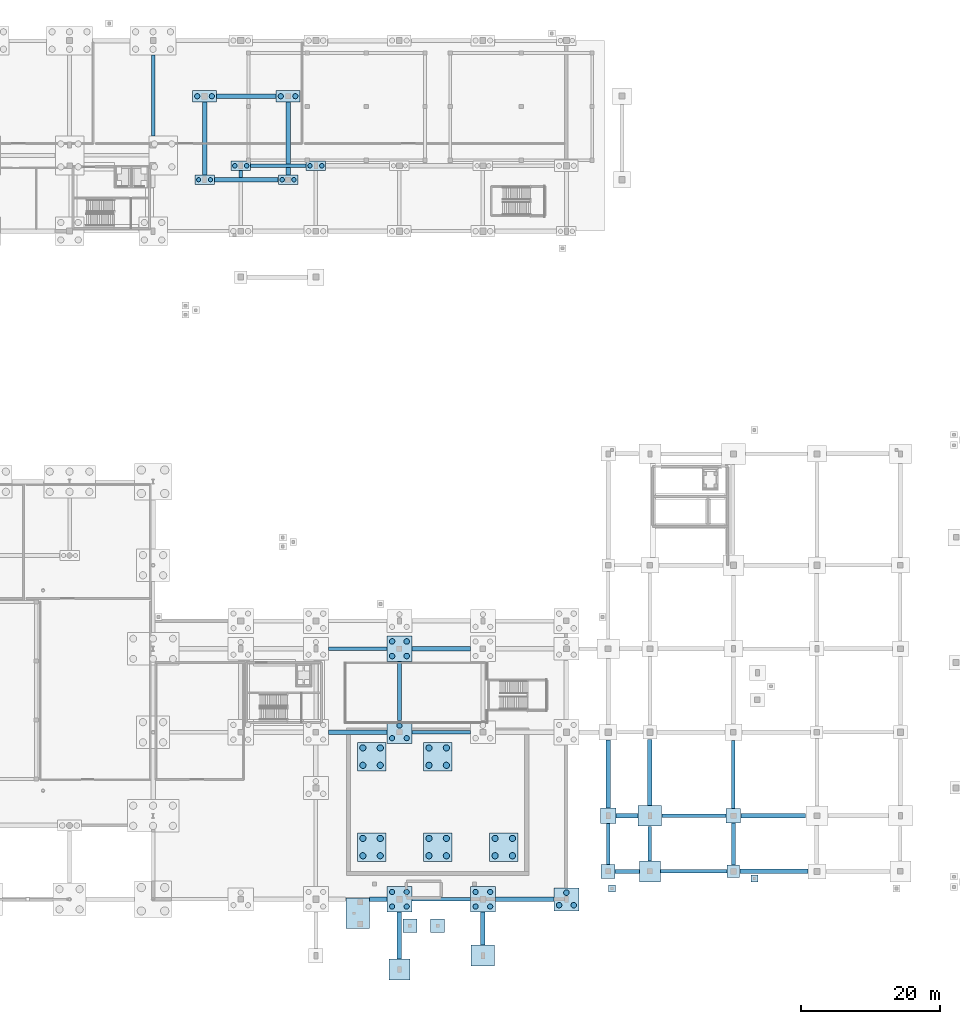
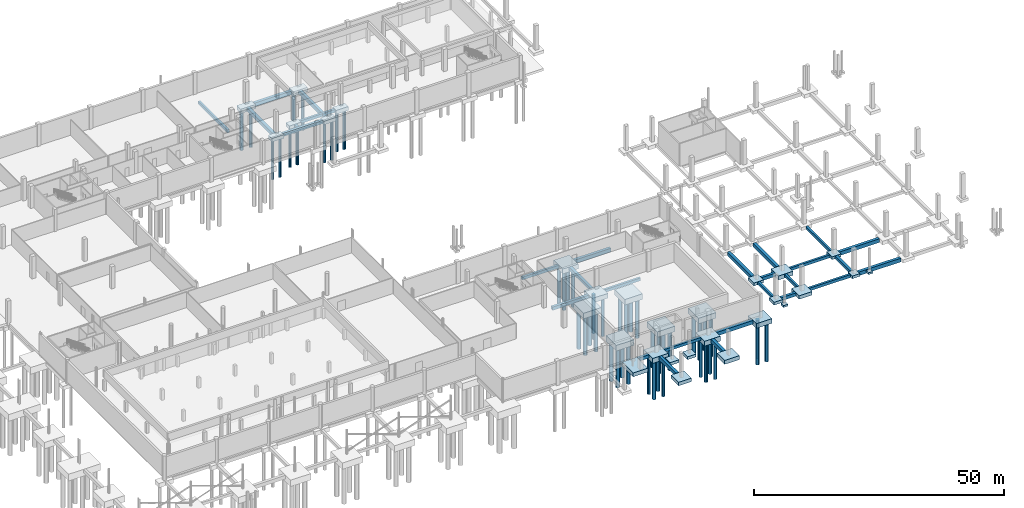
# One storey, part 5 of 42: 59 footings, 50 piles.
"""IFC4 building model written with IfcOpenShell, lengths in metres."""

from ifc_helpers import new_model, si_unit, direction, frame, origin, origin_2d, place, context, subcontext, project, spatial, rectangle, circle, extrude, material, material_profile, profile_set, type_object, element, save


model = new_model("IFC4")

# Units and contexts
model_context = context("Model", 3, precision=1e-05, world=origin(), true_north=direction((0.0, 1.0)))
body_context = subcontext(model_context, "Body", "Model", "MODEL_VIEW")
ifc_project = project(units=[si_unit("LENGTHUNIT", "METRE"), si_unit("AREAUNIT", "SQUARE_METRE"), si_unit("VOLUMEUNIT", "CUBIC_METRE"), si_unit("PLANEANGLEUNIT", "RADIAN"), si_unit("MASSUNIT", "GRAM", prefix="KILO"), si_unit("THERMODYNAMICTEMPERATUREUNIT", "KELVIN"), si_unit("POWERUNIT", "WATT")], contexts=[model_context])

# Site, building, storey
site_placement = place(None, origin())
site = spatial("IfcSite", under=ifc_project, at=site_placement, CompositionType="ELEMENT")
building_placement = place(site_placement, origin())
building = spatial("IfcBuilding", under=site, at=building_placement, Name="Solmara Park Aquatics Centre", CompositionType="ELEMENT")
storey_placement = place(building_placement, frame((0.0, 0.0, -5.39990234375)))
storey = spatial("IfcBuildingStorey", under=building, at=storey_placement, Name="B1", CompositionType="ELEMENT", Elevation=-5.39990234375)

# Footings
ifc_material = material(Name="Watertight Concrete C45/55", Category="concrete")
footing_type_1 = type_object("IfcFootingType", Name="STR-FB-500x700", PredefinedType="FOOTING_BEAM", material=ifc_material)
footing_1_placement = place(storey_placement, frame((138.0, 12.60009765625, -1.25), z_axis=(0.0, 0.0, 1.0), x_axis=(1.0, 0.0, 0.0)))
element("IfcFooting", 1, at=footing_1_placement, inside=storey, type_object=footing_type_1, Name="Ground Tie Beam FB-012", PredefinedType="FOOTING_BEAM", context=body_context, shape_type="SweptSolid", body=[
    extrude(rectangle(XDim=8.3798828125, YDim=0.5, at=origin_2d()), origin(), (0.0, 0.0, 1.0), 0.699951171875),
])
footing_2_placement = place(storey_placement, frame((174.300048828125, 16.60009765625, -1.25), z_axis=(0.0, 0.0, 1.0), x_axis=(1.0, 0.0, 0.0)))
element("IfcFooting", 2, at=footing_2_placement, inside=storey, type_object=footing_type_1, Name="Ground Tie Beam FB-015", PredefinedType="FOOTING_BEAM", context=body_context, shape_type="SweptSolid", body=[
    extrude(rectangle(XDim=9.580078125, YDim=0.5, at=origin_2d()), origin(), (0.0, 0.0, 1.0), 0.699951171875),
])
footing_3_placement = place(storey_placement, frame((174.324951171875, 24.60009765625, -1.25), z_axis=(0.0, 0.0, 1.0), x_axis=(1.0, 0.0, 0.0)))
element("IfcFooting", 3, at=footing_3_placement, inside=storey, type_object=footing_type_1, Name="Ground Tie Beam FB-024", PredefinedType="FOOTING_BEAM", context=body_context, shape_type="SweptSolid", body=[
    extrude(rectangle(XDim=9.22998046875, YDim=0.5, at=origin_2d()), origin(), (0.0, 0.0, 1.0), 0.699951171875),
])
for number, where, z_axis, x_axis, name in (
    (4, (138.0, 36.60009765625, -1.25), (0.0, 0.0, 1.0), (1.0, 0.0, 0.0), "Ground Tie Beam FB-030"),
    (5, (126.0, 48.60009765625, -1.25), (0.0, 0.0, 1.0), (1.0, 0.0, 0.0), "Ground Tie Beam FB-039"),
):
    element("IfcFooting", number, at=place(storey_placement, frame(where, z_axis=z_axis, x_axis=x_axis)), inside=storey, type_object=footing_type_1, Name=name, PredefinedType="FOOTING_BEAM", context=body_context, shape_type="SweptSolid", body=[
        extrude(rectangle(XDim=8.3798828125, YDim=0.5, at=origin_2d()), origin(), (0.0, 0.0, 1.0), 0.699951171875),
    ])
footing_4_placement = place(storey_placement, frame((114.60009765625, 118.0, -1.25), z_axis=(0.0, 0.0, 1.0), x_axis=(1.0, 0.0, 0.0)))
element("IfcFooting", 6, at=footing_4_placement, inside=storey, type_object=footing_type_1, Name="Ground Tie Beam FB-090", PredefinedType="FOOTING_BEAM", context=body_context, shape_type="SweptSolid", body=[
    extrude(rectangle(XDim=7.97998046875, YDim=0.5, at=origin_2d()), origin(), (0.0, 0.0, 1.0), 0.699951171875),
])
footing_5_placement = place(storey_placement, frame((96.60009765625, 128.125, -1.25), z_axis=(0.0, 0.0, 1.0), x_axis=(1.0, 0.0, 0.0)))
element("IfcFooting", 7, at=footing_5_placement, inside=storey, type_object=footing_type_1, Name="Ground Tie Beam FB-156", PredefinedType="FOOTING_BEAM", context=body_context, shape_type="SweptSolid", body=[
    extrude(rectangle(XDim=0.5, YDim=11.6298828125, at=origin_2d()), origin(), (0.0, 0.0, 1.0), 0.699951171875),
])
footing_6_placement = place(storey_placement, frame((109.199951171875, 116.800048828125, -1.25), z_axis=(0.0, 0.0, 1.0), x_axis=(1.0, 0.0, 0.0)))
element("IfcFooting", 8, at=footing_6_placement, inside=storey, type_object=footing_type_1, Name="Ground Tie Beam FB-160", PredefinedType="FOOTING_BEAM", context=body_context, shape_type="SweptSolid", body=[
    extrude(rectangle(XDim=0.5, YDim=0.97998046875, at=origin_2d()), origin(), (0.0, 0.0, 1.0), 0.699951171875),
])
footing_7_placement = place(storey_placement, frame((162.0, 20.53759765625, -1.25), z_axis=(0.0, 0.0, 1.0), x_axis=(1.0, 0.0, 0.0)))
element("IfcFooting", 9, at=footing_7_placement, inside=storey, type_object=footing_type_1, Name="Ground Tie Beam FB-176", PredefinedType="FOOTING_BEAM", context=body_context, shape_type="SweptSolid", body=[
    extrude(rectangle(XDim=0.5, YDim=5.85498046875, at=origin_2d()), origin(), (0.0, 0.0, 1.0), 0.699951171875),
])
footing_8_placement = place(storey_placement, frame((168.0, 20.60009765625, -1.25), z_axis=(0.0, 0.0, 1.0), x_axis=(1.0, 0.0, 0.0)))
element("IfcFooting", 10, at=footing_8_placement, inside=storey, type_object=footing_type_1, Name="Ground Tie Beam FB-182", PredefinedType="FOOTING_BEAM", context=body_context, shape_type="SweptSolid", body=[
    extrude(rectangle(XDim=0.5, YDim=4.97998046875, at=origin_2d()), origin(), (0.0, 0.0, 1.0), 0.699951171875),
])
footing_9_placement = place(storey_placement, frame((180.0, 30.52490234375, -1.25), z_axis=(0.0, 0.0, 1.0), x_axis=(1.0, 0.0, 0.0)))
element("IfcFooting", 11, at=footing_9_placement, inside=storey, type_object=footing_type_1, Name="Ground Tie Beam FB-187", PredefinedType="FOOTING_BEAM", context=body_context, shape_type="SweptSolid", body=[
    extrude(rectangle(XDim=0.5, YDim=9.72998046875, at=origin_2d()), origin(), (0.0, 0.0, 1.0), 0.699951171875),
])
footing_type_2 = type_object("IfcFootingType", Name="STR-FB-600x800", PredefinedType="FOOTING_BEAM", material=ifc_material)
footing_10_placement = place(storey_placement, frame((128.949951171875, 12.60009765625, -1.35009765625), z_axis=(0.0, 0.0, 1.0), x_axis=(1.0, 0.0, 0.0)))
element("IfcFooting", 12, at=footing_10_placement, inside=storey, type_object=footing_type_2, Name="Ground Tie Beam FB-011", PredefinedType="FOOTING_BEAM", context=body_context, shape_type="SweptSolid", body=[
    extrude(rectangle(XDim=2.47998046875, YDim=0.60009765625, at=origin_2d()), origin(), (0.0, 0.0, 1.0), 0.800048828125),
])
footing_11_placement = place(storey_placement, frame((164.75, 16.60009765625, -1.35009765625), z_axis=(0.0, 0.0, 1.0), x_axis=(1.0, 0.0, 0.0)))
element("IfcFooting", 13, at=footing_11_placement, inside=storey, type_object=footing_type_2, Name="Ground Tie Beam FB-014", PredefinedType="FOOTING_BEAM", context=body_context, shape_type="SweptSolid", body=[
    extrude(rectangle(XDim=3.47998046875, YDim=0.60009765625, at=origin_2d()), origin(), (0.0, 0.0, 1.0), 0.800048828125),
])
footing_12_placement = place(storey_placement, frame((164.71240234375, 24.60009765625, -1.35009765625), z_axis=(0.0, 0.0, 1.0), x_axis=(1.0, 0.0, 0.0)))
element("IfcFooting", 14, at=footing_12_placement, inside=storey, type_object=footing_type_2, Name="Ground Tie Beam FB-023", PredefinedType="FOOTING_BEAM", context=body_context, shape_type="SweptSolid", body=[
    extrude(rectangle(XDim=3.155029296875, YDim=0.60009765625, at=origin_2d()), origin(), (0.0, 0.0, 1.0), 0.800048828125),
])
footing_13_placement = place(storey_placement, frame((126.0, 36.60009765625, -1.35009765625), z_axis=(0.0, 0.0, 1.0), x_axis=(1.0, 0.0, 0.0)))
element("IfcFooting", 15, at=footing_13_placement, inside=storey, type_object=footing_type_2, Name="Ground Tie Beam FB-029", PredefinedType="FOOTING_BEAM", context=body_context, shape_type="SweptSolid", body=[
    extrude(rectangle(XDim=8.3798828125, YDim=0.60009765625, at=origin_2d()), origin(), (0.0, 0.0, 1.0), 0.800048828125),
])
footing_14_placement = place(storey_placement, frame((110.0, 116.0, -1.35009765625), z_axis=(0.0, 0.0, 1.0), x_axis=(1.0, 0.0, 0.0)))
element("IfcFooting", 16, at=footing_14_placement, inside=storey, type_object=footing_type_2, Name="Ground Tie Beam FB-089", PredefinedType="FOOTING_BEAM", context=body_context, shape_type="SweptSolid", body=[
    extrude(rectangle(XDim=9.179931640625, YDim=0.60009765625, at=origin_2d()), origin(), (0.0, 0.0, 1.0), 0.800048828125),
])
footing_15_placement = place(storey_placement, frame((132.0, 42.52490234375, -1.35009765625), z_axis=(0.0, 0.0, 1.0), x_axis=(1.0, 0.0, 0.0)))
element("IfcFooting", 17, at=footing_15_placement, inside=storey, type_object=footing_type_2, Name="Ground Tie Beam FB-169", PredefinedType="FOOTING_BEAM", context=body_context, shape_type="SweptSolid", body=[
    extrude(rectangle(XDim=0.60009765625, YDim=8.530029296875, at=origin_2d()), origin(), (0.0, 0.0, 1.0), 0.800048828125),
])
footing_16_placement = place(storey_placement, frame((180.0, 20.52490234375, -1.35009765625), z_axis=(0.0, 0.0, 1.0), x_axis=(1.0, 0.0, 0.0)))
element("IfcFooting", 18, at=footing_16_placement, inside=storey, type_object=footing_type_2, Name="Ground Tie Beam FB-186", PredefinedType="FOOTING_BEAM", context=body_context, shape_type="SweptSolid", body=[
    extrude(rectangle(XDim=0.60009765625, YDim=6.030029296875, at=origin_2d()), origin(), (0.0, 0.0, 1.0), 0.800048828125),
])
footing_type_3 = type_object("IfcFootingType", Name="STR-FB-650x900", PredefinedType="FOOTING_BEAM", material=ifc_material)
footing_17_placement = place(storey_placement, frame((150.0, 12.60009765625, -1.449951171875), z_axis=(0.0, 0.0, 1.0), x_axis=(1.0, 0.0, 0.0)))
element("IfcFooting", 19, at=footing_17_placement, inside=storey, type_object=footing_type_3, Name="Ground Tie Beam FB-013", PredefinedType="FOOTING_BEAM", context=body_context, shape_type="SweptSolid", body=[
    extrude(rectangle(XDim=8.3798828125, YDim=0.64990234375, at=origin_2d()), origin(), (0.0, 0.0, 1.0), 0.89990234375),
])
footing_18_placement = place(storey_placement, frame((185.800048828125, 16.60009765625, -1.449951171875), z_axis=(0.0, 0.0, 1.0), x_axis=(1.0, 0.0, 0.0)))
element("IfcFooting", 20, at=footing_18_placement, inside=storey, type_object=footing_type_3, Name="Ground Tie Beam FB-016", PredefinedType="FOOTING_BEAM", context=body_context, shape_type="SweptSolid", body=[
    extrude(rectangle(XDim=9.780029296875, YDim=0.64990234375, at=origin_2d()), origin(), (0.0, 0.0, 1.0), 0.89990234375),
])
footing_19_placement = place(storey_placement, frame((185.72509765625, 24.60009765625, -1.449951171875), z_axis=(0.0, 0.0, 1.0), x_axis=(1.0, 0.0, 0.0)))
element("IfcFooting", 21, at=footing_19_placement, inside=storey, type_object=footing_type_3, Name="Ground Tie Beam FB-025", PredefinedType="FOOTING_BEAM", context=body_context, shape_type="SweptSolid", body=[
    extrude(rectangle(XDim=9.330078125, YDim=0.64990234375, at=origin_2d()), origin(), (0.0, 0.0, 1.0), 0.89990234375),
])
footing_20_placement = place(storey_placement, frame((138.0, 48.60009765625, -1.449951171875), z_axis=(0.0, 0.0, 1.0), x_axis=(1.0, 0.0, 0.0)))
element("IfcFooting", 22, at=footing_20_placement, inside=storey, type_object=footing_type_3, Name="Ground Tie Beam FB-040", PredefinedType="FOOTING_BEAM", context=body_context, shape_type="SweptSolid", body=[
    extrude(rectangle(XDim=8.3798828125, YDim=0.64990234375, at=origin_2d()), origin(), (0.0, 0.0, 1.0), 0.89990234375),
])
footing_21_placement = place(storey_placement, frame((110.0, 128.0, -1.449951171875), z_axis=(0.0, 0.0, 1.0), x_axis=(1.0, 0.0, 0.0)))
element("IfcFooting", 23, at=footing_21_placement, inside=storey, type_object=footing_type_3, Name="Ground Tie Beam FB-100", PredefinedType="FOOTING_BEAM", context=body_context, shape_type="SweptSolid", body=[
    extrude(rectangle(XDim=8.580078125, YDim=0.64990234375, at=origin_2d()), origin(), (0.0, 0.0, 1.0), 0.89990234375),
])
footing_22_placement = place(storey_placement, frame((104.0, 121.949951171875, -1.449951171875), z_axis=(0.0, 0.0, 1.0), x_axis=(1.0, 0.0, 0.0)))
element("IfcFooting", 24, at=footing_22_placement, inside=storey, type_object=footing_type_3, Name="Ground Tie Beam FB-157", PredefinedType="FOOTING_BEAM", context=body_context, shape_type="SweptSolid", body=[
    extrude(rectangle(XDim=0.64990234375, YDim=10.47998046875, at=origin_2d()), origin(), (0.0, 0.0, 1.0), 0.89990234375),
])
footing_23_placement = place(storey_placement, frame((116.0, 117.22509765625, -1.449951171875), z_axis=(0.0, 0.0, 1.0), x_axis=(1.0, 0.0, 0.0)))
element("IfcFooting", 25, at=footing_23_placement, inside=storey, type_object=footing_type_3, Name="Ground Tie Beam FB-161", PredefinedType="FOOTING_BEAM", context=body_context, shape_type="SweptSolid", body=[
    extrude(rectangle(XDim=0.64990234375, YDim=1.030029296875, at=origin_2d()), origin(), (0.0, 0.0, 1.0), 0.89990234375),
])
footing_24_placement = place(storey_placement, frame((116.0, 122.72509765625, -1.449951171875), z_axis=(0.0, 0.0, 1.0), x_axis=(1.0, 0.0, 0.0)))
element("IfcFooting", 26, at=footing_24_placement, inside=storey, type_object=footing_type_3, Name="Ground Tie Beam FB-162", PredefinedType="FOOTING_BEAM", context=body_context, shape_type="SweptSolid", body=[
    extrude(rectangle(XDim=0.64990234375, YDim=8.929931640625, at=origin_2d()), origin(), (0.0, 0.0, 1.0), 0.89990234375),
])
footing_25_placement = place(storey_placement, frame((132.0, 7.39990234375, -1.449951171875), z_axis=(0.0, 0.0, 1.0), x_axis=(1.0, 0.0, 0.0)))
element("IfcFooting", 27, at=footing_25_placement, inside=storey, type_object=footing_type_3, Name="Ground Tie Beam FB-168", PredefinedType="FOOTING_BEAM", context=body_context, shape_type="SweptSolid", body=[
    extrude(rectangle(XDim=0.64990234375, YDim=6.780029296875, at=origin_2d()), origin(), (0.0, 0.0, 1.0), 0.89990234375),
])
footing_26_placement = place(storey_placement, frame((144.0, 8.39990234375, -1.449951171875), z_axis=(0.0, 0.0, 1.0), x_axis=(1.0, 0.0, 0.0)))
element("IfcFooting", 28, at=footing_26_placement, inside=storey, type_object=footing_type_3, Name="Ground Tie Beam FB-171", PredefinedType="FOOTING_BEAM", context=body_context, shape_type="SweptSolid", body=[
    extrude(rectangle(XDim=0.64990234375, YDim=4.780029296875, at=origin_2d()), origin(), (0.0, 0.0, 1.0), 0.89990234375),
])
footing_27_placement = place(storey_placement, frame((162.0, 30.612548828125, -1.449951171875), z_axis=(0.0, 0.0, 1.0), x_axis=(1.0, 0.0, 0.0)))
element("IfcFooting", 29, at=footing_27_placement, inside=storey, type_object=footing_type_3, Name="Ground Tie Beam FB-177", PredefinedType="FOOTING_BEAM", context=body_context, shape_type="SweptSolid", body=[
    extrude(rectangle(XDim=0.64990234375, YDim=9.7548828125, at=origin_2d()), origin(), (0.0, 0.0, 1.0), 0.89990234375),
])
footing_28_placement = place(storey_placement, frame((168.0, 30.85009765625, -1.449951171875), z_axis=(0.0, 0.0, 1.0), x_axis=(1.0, 0.0, 0.0)))
element("IfcFooting", 30, at=footing_28_placement, inside=storey, type_object=footing_type_3, Name="Ground Tie Beam FB-183", PredefinedType="FOOTING_BEAM", context=body_context, shape_type="SweptSolid", body=[
    extrude(rectangle(XDim=0.64990234375, YDim=9.47998046875, at=origin_2d()), origin(), (0.0, 0.0, 1.0), 0.89990234375),
])
footing_type_4 = type_object("IfcFootingType", Name="STR-PC-2P600", PredefinedType="PILE_CAP", material=ifc_material)
for number, where, z_axis, x_axis, name in (
    (31, (104.0, 116.0, -1.449951171875), (0.0, 0.0, 1.0), (1.0, 0.0, 0.0), "Pile Cap PC-069"),
    (32, (109.199951171875, 118.0, -1.449951171875), (0.0, 0.0, 1.0), (1.0, 0.0, 0.0), "Pile Cap PC-076"),
    (33, (116.0, 116.0, -1.449951171875), (0.0, 0.0, 1.0), (1.0, 0.0, 0.0), "Pile Cap PC-078"),
    (34, (120.0, 118.0, -1.449951171875), (0.0, 0.0, 1.0), (1.0, 0.0, 0.0), "Pile Cap PC-086"),
):
    element("IfcFooting", number, at=place(storey_placement, frame(where, z_axis=z_axis, x_axis=x_axis)), inside=storey, type_object=footing_type_4, Name=name, PredefinedType="PILE_CAP", context=body_context, shape_type="SweptSolid", body=[
        extrude(rectangle(XDim=2.800048828125, YDim=1.39990234375, at=origin_2d()), origin(), (0.0, 0.0, 1.0), 0.89990234375),
    ])
footing_type_5 = type_object("IfcFootingType", Name="STR-PC-2P750", PredefinedType="PILE_CAP", material=ifc_material)
for number, where, z_axis, x_axis, name in (
    (35, (104.0, 128.0, -1.60009765625), (0.0, 0.0, 1.0), (1.0, 0.0, 0.0), "Pile Cap PC-070"),
    (36, (116.0, 128.0, -1.60009765625), (0.0, 0.0, 1.0), (1.0, 0.0, 0.0), "Pile Cap PC-079"),
):
    element("IfcFooting", number, at=place(storey_placement, frame(where, z_axis=z_axis, x_axis=x_axis)), inside=storey, type_object=footing_type_5, Name=name, PredefinedType="PILE_CAP", context=body_context, shape_type="SweptSolid", body=[
        extrude(rectangle(XDim=3.39990234375, YDim=1.60009765625, at=origin_2d()), origin(), (0.0, 0.0, 1.0), 1.050048828125),
    ])
footing_type_6 = type_object("IfcFootingType", Name="STR-PC-3P750", PredefinedType="PILE_CAP", material=ifc_material)
for number, where, z_axis, x_axis, name in (
    (37, (132.0, 36.60009765625, -1.699951171875), (0.0, 0.0, 1.0), (1.0, 0.0, 0.0), "Pile Cap PC-089"),
    (38, (156.0, 12.60009765625, -1.699951171875), (0.0, 0.0, 1.0), (1.0, 0.0, 0.0), "Pile Cap PC-102"),
):
    element("IfcFooting", number, at=place(storey_placement, frame(where, z_axis=z_axis, x_axis=x_axis)), inside=storey, type_object=footing_type_6, Name=name, PredefinedType="PILE_CAP", context=body_context, shape_type="SweptSolid", body=[
        extrude(rectangle(XDim=3.60009765625, YDim=3.300048828125, at=origin_2d()), origin(), (0.0, 0.0, 1.0), 1.14990234375),
    ])
footing_type_7 = type_object("IfcFootingType", Name="STR-PC-4P750", PredefinedType="PILE_CAP", material=ifc_material)
for number, where, z_axis, x_axis, name in (
    (39, (132.0, 12.60009765625, -1.75), (0.0, 0.0, 1.0), (1.0, 0.0, 0.0), "Pile Cap PC-088"),
    (40, (132.0, 48.60009765625, -1.75), (0.0, 0.0, 1.0), (1.0, 0.0, 0.0), "Pile Cap PC-090"),
    (41, (144.0, 12.60009765625, -1.75), (0.0, 0.0, 1.0), (1.0, 0.0, 0.0), "Pile Cap PC-095"),
):
    element("IfcFooting", number, at=place(storey_placement, frame(where, z_axis=z_axis, x_axis=x_axis)), inside=storey, type_object=footing_type_7, Name=name, PredefinedType="PILE_CAP", context=body_context, shape_type="SweptSolid", body=[
        extrude(rectangle(XDim=3.60009765625, YDim=3.60009765625, at=origin_2d()), origin(), (0.0, 0.0, 1.0), 1.199951171875),
    ])
footing_type_8 = type_object("IfcFootingType", Name="STR-PC-4P900", PredefinedType="PILE_CAP", material=ifc_material)
for number, where, z_axis, x_axis, name in (
    (42, (128.0, 20.10009765625, -1.650146484375), (0.0, 0.0, 1.0), (1.0, 0.0, 0.0), "Diving Tank Pile Cap PC-109"),
    (43, (128.0, 33.10009765625, -1.650146484375), (0.0, 0.0, 1.0), (1.0, 0.0, 0.0), "Diving Tank Pile Cap PC-110"),
    (44, (137.5, 20.10009765625, -1.650146484375), (0.0, 0.0, 1.0), (1.0, 0.0, 0.0), "Diving Tank Pile Cap PC-111"),
    (45, (137.5, 33.10009765625, -1.650146484375), (0.0, 0.0, 1.0), (1.0, 0.0, 0.0), "Diving Tank Pile Cap PC-112"),
    (46, (147.0, 20.10009765625, -1.650146484375), (0.0, 0.0, 1.0), (1.0, 0.0, 0.0), "Diving Tank Pile Cap PC-113"),
):
    element("IfcFooting", number, at=place(storey_placement, frame(where, z_axis=z_axis, x_axis=x_axis)), inside=storey, type_object=footing_type_8, Name=name, PredefinedType="PILE_CAP", context=body_context, shape_type="SweptSolid", body=[
        extrude(rectangle(XDim=4.10009765625, YDim=4.10009765625, at=origin_2d()), origin(), (0.0, 0.0, 1.0), 1.35009765625),
    ])
footing_type_9 = type_object("IfcFootingType", Name="STR-PF-1000", PredefinedType="PAD_FOOTING", material=ifc_material)
for number, where, z_axis, x_axis, name in (
    (47, (162.550048828125, 14.14990234375, -1.0), (0.0, 0.0, 1.0), (1.0, 0.0, 0.0), "Apron Foundation Pier SLB-L00-APR-V3S-1 Footing"),
    (48, (183.0, 15.60009765625, -1.0), (0.0, 0.0, 1.0), (1.0, 0.0, 0.0), "Apron Foundation Pier SLB-L00-APR-V3S-3 Footing"),
):
    element("IfcFooting", number, at=place(storey_placement, frame(where, z_axis=z_axis, x_axis=x_axis)), inside=storey, type_object=footing_type_9, Name=name, PredefinedType="PAD_FOOTING", context=body_context, shape_type="SweptSolid", body=[
        extrude(rectangle(XDim=1.0, YDim=1.0, at=origin_2d()), origin(), (0.0, 0.0, 1.0), 0.449951171875),
    ])
footing_type_10 = type_object("IfcFootingType", Name="STR-PF-1800", PredefinedType="PAD_FOOTING", material=ifc_material)
footing_29_placement = place(storey_placement, frame((180.0, 16.60009765625, -1.199951171875), z_axis=(0.0, 0.0, 1.0), x_axis=(1.0, 0.0, 0.0)))
element("IfcFooting", 49, at=footing_29_placement, inside=storey, type_object=footing_type_10, Name="Pad Footing PF-021", PredefinedType="PAD_FOOTING", context=body_context, shape_type="SweptSolid", body=[
    extrude(rectangle(XDim=1.800048828125, YDim=1.800048828125, at=origin_2d()), origin(), (0.0, 0.0, 1.0), 0.64990234375),
])
footing_type_11 = type_object("IfcFootingType", Name="STR-PF-2000", PredefinedType="PAD_FOOTING", material=ifc_material)
for number, where, z_axis, x_axis, name in (
    (50, (162.0, 16.60009765625, -1.22998046875), (0.0, 0.0, 1.0), (1.0, 0.0, 0.0), "Pad Footing PF-007"),
    (51, (133.5, 8.800048828125, -1.22998046875), (0.0, 0.0, 1.0), (1.0, 0.0, 0.0), "Diving South Pylon Footing PF-044"),
    (52, (137.5, 8.800048828125, -1.22998046875), (0.0, 0.0, 1.0), (1.0, 0.0, 0.0), "Diving South Pylon Footing PF-045"),
):
    element("IfcFooting", number, at=place(storey_placement, frame(where, z_axis=z_axis, x_axis=x_axis)), inside=storey, type_object=footing_type_11, Name=name, PredefinedType="PAD_FOOTING", context=body_context, shape_type="SweptSolid", body=[
        extrude(rectangle(XDim=2.0, YDim=2.0, at=origin_2d()), origin(), (0.0, 0.0, 1.0), 0.679931640625),
    ])
footing_type_12 = type_object("IfcFootingType", Name="STR-PF-2100", PredefinedType="PAD_FOOTING", material=ifc_material)
footing_30_placement = place(storey_placement, frame((180.0, 24.60009765625, -1.25), z_axis=(0.0, 0.0, 1.0), x_axis=(1.0, 0.0, 0.0)))
element("IfcFooting", 53, at=footing_30_placement, inside=storey, type_object=footing_type_12, Name="Pad Footing PF-022", PredefinedType="PAD_FOOTING", context=body_context, shape_type="SweptSolid", body=[
    extrude(rectangle(XDim=2.10009765625, YDim=2.10009765625, at=origin_2d()), origin(), (0.0, 0.0, 1.0), 0.699951171875),
])
footing_type_13 = type_object("IfcFootingType", Name="STR-PF-2250", PredefinedType="PAD_FOOTING", material=ifc_material)
footing_31_placement = place(storey_placement, frame((162.0, 24.60009765625, -1.27001953125), z_axis=(0.0, 0.0, 1.0), x_axis=(1.0, 0.0, 0.0)))
element("IfcFooting", 54, at=footing_31_placement, inside=storey, type_object=footing_type_13, Name="Pad Footing PF-008", PredefinedType="PAD_FOOTING", context=body_context, shape_type="SweptSolid", body=[
    extrude(rectangle(XDim=2.25, YDim=2.25, at=origin_2d()), origin(), (0.0, 0.0, 1.0), 0.719970703125),
])
footing_type_14 = type_object("IfcFootingType", Name="STR-PF-3000", PredefinedType="PAD_FOOTING", material=ifc_material)
for number, where, z_axis, x_axis, name in (
    (55, (132.0, 2.5, -1.400146484375), (0.0, 0.0, 1.0), (1.0, 0.0, 0.0), "Pad Footing PF-005"),
    (56, (168.0, 16.60009765625, -1.400146484375), (0.0, 0.0, 1.0), (1.0, 0.0, 0.0), "Pad Footing PF-015"),
):
    element("IfcFooting", number, at=place(storey_placement, frame(where, z_axis=z_axis, x_axis=x_axis)), inside=storey, type_object=footing_type_14, Name=name, PredefinedType="PAD_FOOTING", context=body_context, shape_type="SweptSolid", body=[
        extrude(rectangle(XDim=3.0, YDim=3.0, at=origin_2d()), origin(), (0.0, 0.0, 1.0), 0.85009765625),
    ])
footing_type_15 = type_object("IfcFootingType", Name="STR-PF-3400", PredefinedType="PAD_FOOTING", material=ifc_material)
for number, where, z_axis, x_axis, name in (
    (57, (144.0, 4.5, -1.5), (0.0, 0.0, 1.0), (1.0, 0.0, 0.0), "Pad Footing PF-006"),
    (58, (168.0, 24.60009765625, -1.5), (0.0, 0.0, 1.0), (1.0, 0.0, 0.0), "Pad Footing PF-016"),
):
    element("IfcFooting", number, at=place(storey_placement, frame(where, z_axis=z_axis, x_axis=x_axis)), inside=storey, type_object=footing_type_15, Name=name, PredefinedType="PAD_FOOTING", context=body_context, shape_type="SweptSolid", body=[
        extrude(rectangle(XDim=3.39990234375, YDim=3.0, at=origin_2d()), origin(), (0.0, 0.0, 1.0), 0.949951171875),
    ])
footing_type_16 = type_object("IfcFootingType", Name="STR-PF-3400x4400", PredefinedType="PAD_FOOTING", material=ifc_material)
footing_32_placement = place(storey_placement, frame((126.0, 10.60009765625, -1.5), z_axis=(0.0, 0.0, 1.0), x_axis=(1.0, 0.0, 0.0)))
element("IfcFooting", 59, at=footing_32_placement, inside=storey, type_object=footing_type_16, Name="Diving Stair Combined Mat Footing PF-004", PredefinedType="PAD_FOOTING", context=body_context, shape_type="SweptSolid", body=[
    extrude(rectangle(XDim=3.39990234375, YDim=4.39990234375, at=origin_2d()), origin(), (0.0, 0.0, 1.0), 0.949951171875),
])

# Piles
ifc_material_profile_1 = material_profile(ifc_material, circle(Radius=0.300048828125, at=origin_2d()), Name="BORED PILE D600")
ifc_profile_set_1 = profile_set([ifc_material_profile_1], Name="Watertight Concrete C45/55")
pile_type_1 = type_object("IfcPileType", Name="STR-PILE-D600", PredefinedType="BORED", material=ifc_profile_set_1)
for number, where, z_axis, x_axis, name in (
    (60, (103.14990234375, 116.0, -1.35009765625), (0.0, 0.0, -1.0), (1.0, 0.0, 0.0), "Bored Pile PL-0249"),
    (61, (104.85009765625, 116.0, -1.35009765625), (0.0, 0.0, -1.0), (1.0, 0.0, 0.0), "Bored Pile PL-0250"),
):
    element("IfcPile", number, at=place(storey_placement, frame(where, z_axis=z_axis, x_axis=x_axis)), inside=storey, type_object=pile_type_1, Name=name, PredefinedType="BORED", context=body_context, shape_type="SweptSolid", body=[
        extrude(circle(Radius=0.300048828125, at=origin_2d()), origin(), (0.0, 0.0, 1.0), 9.75),
    ])
ifc_material_profile_2 = material_profile(ifc_material, circle(Radius=0.324951171875, at=origin_2d()), Name="BORED PILE D650")
ifc_profile_set_2 = profile_set([ifc_material_profile_2], Name="Watertight Concrete C45/55")
pile_type_2 = type_object("IfcPileType", Name="STR-PILE-D650", PredefinedType="BORED", material=ifc_profile_set_2)
for number, where, z_axis, x_axis, name in (
    (62, (108.35009765625, 118.0, -1.35009765625), (0.0, 0.0, -1.0), (1.0, 0.0, 0.0), "Bored Pile PL-0269"),
    (63, (110.050048828125, 118.0, -1.35009765625), (0.0, 0.0, -1.0), (1.0, 0.0, 0.0), "Bored Pile PL-0270"),
    (64, (115.14990234375, 116.0, -1.35009765625), (0.0, 0.0, -1.0), (1.0, 0.0, 0.0), "Bored Pile PL-0273"),
    (65, (116.85009765625, 116.0, -1.35009765625), (0.0, 0.0, -1.0), (1.0, 0.0, 0.0), "Bored Pile PL-0274"),
    (66, (119.14990234375, 118.0, -1.35009765625), (0.0, 0.0, -1.0), (1.0, 0.0, 0.0), "Bored Pile PL-0297"),
    (67, (120.85009765625, 118.0, -1.35009765625), (0.0, 0.0, -1.0), (1.0, 0.0, 0.0), "Bored Pile PL-0298"),
):
    element("IfcPile", number, at=place(storey_placement, frame(where, z_axis=z_axis, x_axis=x_axis)), inside=storey, type_object=pile_type_2, Name=name, PredefinedType="BORED", context=body_context, shape_type="SweptSolid", body=[
        extrude(circle(Radius=0.324951171875, at=origin_2d()), origin(), (0.0, 0.0, 1.0), 9.75),
    ])
ifc_material_profile_3 = material_profile(ifc_material, circle(Radius=0.375, at=origin_2d()), Name="BORED PILE D750")
ifc_profile_set_3 = profile_set([ifc_material_profile_3], Name="Watertight Concrete C45/55")
pile_type_3 = type_object("IfcPileType", Name="STR-PILE-D750", PredefinedType="BORED", material=ifc_profile_set_3)
for number, where, z_axis, x_axis, name in (
    (68, (102.949951171875, 128.0, -1.5), (0.0, 0.0, -1.0), (1.0, 0.0, 0.0), "Bored Pile PL-0251"),
    (69, (105.050048828125, 128.0, -1.5), (0.0, 0.0, -1.0), (1.0, 0.0, 0.0), "Bored Pile PL-0252"),
    (70, (114.949951171875, 128.0, -1.5), (0.0, 0.0, -1.0), (1.0, 0.0, 0.0), "Bored Pile PL-0275"),
    (71, (117.050048828125, 128.0, -1.5), (0.0, 0.0, -1.0), (1.0, 0.0, 0.0), "Bored Pile PL-0276"),
):
    element("IfcPile", number, at=place(storey_placement, frame(where, z_axis=z_axis, x_axis=x_axis)), inside=storey, type_object=pile_type_3, Name=name, PredefinedType="BORED", context=body_context, shape_type="SweptSolid", body=[
        extrude(circle(Radius=0.375, at=origin_2d()), origin(), (0.0, 0.0, 1.0), 9.60009765625),
    ])
for number, where, z_axis, x_axis, name in (
    (72, (130.949951171875, 11.550048828125, -1.650146484375), (0.0, 0.0, -1.0), (1.0, 0.0, 0.0), "Bored Pile PL-0301"),
    (73, (133.050048828125, 11.550048828125, -1.650146484375), (0.0, 0.0, -1.0), (1.0, 0.0, 0.0), "Bored Pile PL-0302"),
    (74, (130.949951171875, 13.64990234375, -1.650146484375), (0.0, 0.0, -1.0), (1.0, 0.0, 0.0), "Bored Pile PL-0303"),
    (75, (133.050048828125, 13.64990234375, -1.650146484375), (0.0, 0.0, -1.0), (1.0, 0.0, 0.0), "Bored Pile PL-0304"),
):
    element("IfcPile", number, at=place(storey_placement, frame(where, z_axis=z_axis, x_axis=x_axis)), inside=storey, type_object=pile_type_3, Name=name, PredefinedType="BORED", context=body_context, shape_type="SweptSolid", body=[
        extrude(circle(Radius=0.375, at=origin_2d()), origin(), (0.0, 0.0, 1.0), 9.449951171875),
    ])
for number, where, z_axis, x_axis, name in (
    (76, (130.949951171875, 35.75, -1.60009765625), (0.0, 0.0, -1.0), (1.0, 0.0, 0.0), "Bored Pile PL-0305"),
    (77, (133.050048828125, 35.75, -1.60009765625), (0.0, 0.0, -1.0), (1.0, 0.0, 0.0), "Bored Pile PL-0306"),
    (78, (132.0, 37.550048828125, -1.60009765625), (0.0, 0.0, -1.0), (1.0, 0.0, 0.0), "Bored Pile PL-0307"),
):
    element("IfcPile", number, at=place(storey_placement, frame(where, z_axis=z_axis, x_axis=x_axis)), inside=storey, type_object=pile_type_3, Name=name, PredefinedType="BORED", context=body_context, shape_type="SweptSolid", body=[
        extrude(circle(Radius=0.375, at=origin_2d()), origin(), (0.0, 0.0, 1.0), 9.5),
    ])
for number, where, z_axis, x_axis, name in (
    (79, (142.949951171875, 11.550048828125, -1.650146484375), (0.0, 0.0, -1.0), (1.0, 0.0, 0.0), "Bored Pile PL-0321"),
    (80, (145.050048828125, 11.550048828125, -1.650146484375), (0.0, 0.0, -1.0), (1.0, 0.0, 0.0), "Bored Pile PL-0322"),
    (81, (142.949951171875, 13.64990234375, -1.650146484375), (0.0, 0.0, -1.0), (1.0, 0.0, 0.0), "Bored Pile PL-0323"),
    (82, (145.050048828125, 13.64990234375, -1.650146484375), (0.0, 0.0, -1.0), (1.0, 0.0, 0.0), "Bored Pile PL-0324"),
):
    element("IfcPile", number, at=place(storey_placement, frame(where, z_axis=z_axis, x_axis=x_axis)), inside=storey, type_object=pile_type_3, Name=name, PredefinedType="BORED", context=body_context, shape_type="SweptSolid", body=[
        extrude(circle(Radius=0.375, at=origin_2d()), origin(), (0.0, 0.0, 1.0), 9.449951171875),
    ])
ifc_material_profile_4 = material_profile(ifc_material, circle(Radius=0.39990234375, at=origin_2d()), Name="BORED PILE D800")
ifc_profile_set_4 = profile_set([ifc_material_profile_4], Name="Watertight Concrete C45/55")
pile_type_4 = type_object("IfcPileType", Name="STR-PILE-D800", PredefinedType="BORED", material=ifc_profile_set_4)
for number, where, z_axis, x_axis, name in (
    (83, (130.949951171875, 47.550048828125, -1.650146484375), (0.0, 0.0, -1.0), (1.0, 0.0, 0.0), "Bored Pile PL-0308"),
    (84, (133.050048828125, 47.550048828125, -1.650146484375), (0.0, 0.0, -1.0), (1.0, 0.0, 0.0), "Bored Pile PL-0309"),
    (85, (130.949951171875, 49.64990234375, -1.650146484375), (0.0, 0.0, -1.0), (1.0, 0.0, 0.0), "Bored Pile PL-0310"),
    (86, (133.050048828125, 49.64990234375, -1.650146484375), (0.0, 0.0, -1.0), (1.0, 0.0, 0.0), "Bored Pile PL-0311"),
):
    element("IfcPile", number, at=place(storey_placement, frame(where, z_axis=z_axis, x_axis=x_axis)), inside=storey, type_object=pile_type_4, Name=name, PredefinedType="BORED", context=body_context, shape_type="SweptSolid", body=[
        extrude(circle(Radius=0.39990234375, at=origin_2d()), origin(), (0.0, 0.0, 1.0), 9.449951171875),
    ])
for number, where, z_axis, x_axis, name in (
    (87, (154.949951171875, 11.75, -1.60009765625), (0.0, 0.0, -1.0), (1.0, 0.0, 0.0), "Bored Pile PL-0341"),
    (88, (157.050048828125, 11.75, -1.60009765625), (0.0, 0.0, -1.0), (1.0, 0.0, 0.0), "Bored Pile PL-0342"),
    (89, (156.0, 13.550048828125, -1.60009765625), (0.0, 0.0, -1.0), (1.0, 0.0, 0.0), "Bored Pile PL-0343"),
):
    element("IfcPile", number, at=place(storey_placement, frame(where, z_axis=z_axis, x_axis=x_axis)), inside=storey, type_object=pile_type_4, Name=name, PredefinedType="BORED", context=body_context, shape_type="SweptSolid", body=[
        extrude(circle(Radius=0.39990234375, at=origin_2d()), origin(), (0.0, 0.0, 1.0), 9.5),
    ])
ifc_material_profile_5 = material_profile(ifc_material, circle(Radius=0.449951171875, at=origin_2d()), Name="BORED PILE D900")
ifc_profile_set_5 = profile_set([ifc_material_profile_5], Name="Watertight Concrete C45/55")
pile_type_5 = type_object("IfcPileType", Name="STR-PILE-D900", PredefinedType="BORED", material=ifc_profile_set_5)
for number, where, z_axis, x_axis, name in (
    (90, (126.75, 18.85009765625, -1.550048828125), (0.0, 0.0, -1.0), (1.0, 0.0, 0.0), "Bored Pile PL-0361"),
    (91, (129.25, 18.85009765625, -1.550048828125), (0.0, 0.0, -1.0), (1.0, 0.0, 0.0), "Bored Pile PL-0362"),
    (92, (126.75, 21.35009765625, -1.550048828125), (0.0, 0.0, -1.0), (1.0, 0.0, 0.0), "Bored Pile PL-0363"),
    (93, (129.25, 21.35009765625, -1.550048828125), (0.0, 0.0, -1.0), (1.0, 0.0, 0.0), "Bored Pile PL-0364"),
    (94, (126.75, 31.85009765625, -1.550048828125), (0.0, 0.0, -1.0), (1.0, 0.0, 0.0), "Bored Pile PL-0365"),
    (95, (129.25, 31.85009765625, -1.550048828125), (0.0, 0.0, -1.0), (1.0, 0.0, 0.0), "Bored Pile PL-0366"),
    (96, (126.75, 34.35009765625, -1.550048828125), (0.0, 0.0, -1.0), (1.0, 0.0, 0.0), "Bored Pile PL-0367"),
    (97, (129.25, 34.35009765625, -1.550048828125), (0.0, 0.0, -1.0), (1.0, 0.0, 0.0), "Bored Pile PL-0368"),
    (98, (136.25, 18.85009765625, -1.550048828125), (0.0, 0.0, -1.0), (1.0, 0.0, 0.0), "Bored Pile PL-0369"),
    (99, (138.75, 18.85009765625, -1.550048828125), (0.0, 0.0, -1.0), (1.0, 0.0, 0.0), "Bored Pile PL-0370"),
    (100, (136.25, 21.35009765625, -1.550048828125), (0.0, 0.0, -1.0), (1.0, 0.0, 0.0), "Bored Pile PL-0371"),
    (101, (138.75, 21.35009765625, -1.550048828125), (0.0, 0.0, -1.0), (1.0, 0.0, 0.0), "Bored Pile PL-0372"),
    (102, (136.25, 31.85009765625, -1.550048828125), (0.0, 0.0, -1.0), (1.0, 0.0, 0.0), "Bored Pile PL-0373"),
    (103, (138.75, 31.85009765625, -1.550048828125), (0.0, 0.0, -1.0), (1.0, 0.0, 0.0), "Bored Pile PL-0374"),
    (104, (136.25, 34.35009765625, -1.550048828125), (0.0, 0.0, -1.0), (1.0, 0.0, 0.0), "Bored Pile PL-0375"),
    (105, (138.75, 34.35009765625, -1.550048828125), (0.0, 0.0, -1.0), (1.0, 0.0, 0.0), "Bored Pile PL-0376"),
    (106, (145.75, 18.85009765625, -1.550048828125), (0.0, 0.0, -1.0), (1.0, 0.0, 0.0), "Bored Pile PL-0377"),
    (107, (148.25, 18.85009765625, -1.550048828125), (0.0, 0.0, -1.0), (1.0, 0.0, 0.0), "Bored Pile PL-0378"),
    (108, (145.75, 21.35009765625, -1.550048828125), (0.0, 0.0, -1.0), (1.0, 0.0, 0.0), "Bored Pile PL-0379"),
    (109, (148.25, 21.35009765625, -1.550048828125), (0.0, 0.0, -1.0), (1.0, 0.0, 0.0), "Bored Pile PL-0380"),
):
    element("IfcPile", number, at=place(storey_placement, frame(where, z_axis=z_axis, x_axis=x_axis)), inside=storey, type_object=pile_type_5, Name=name, PredefinedType="BORED", context=body_context, shape_type="SweptSolid", body=[
        extrude(circle(Radius=0.449951171875, at=origin_2d()), origin(), (0.0, 0.0, 1.0), 9.550048828125),
    ])

save(model, "model.ifc")
